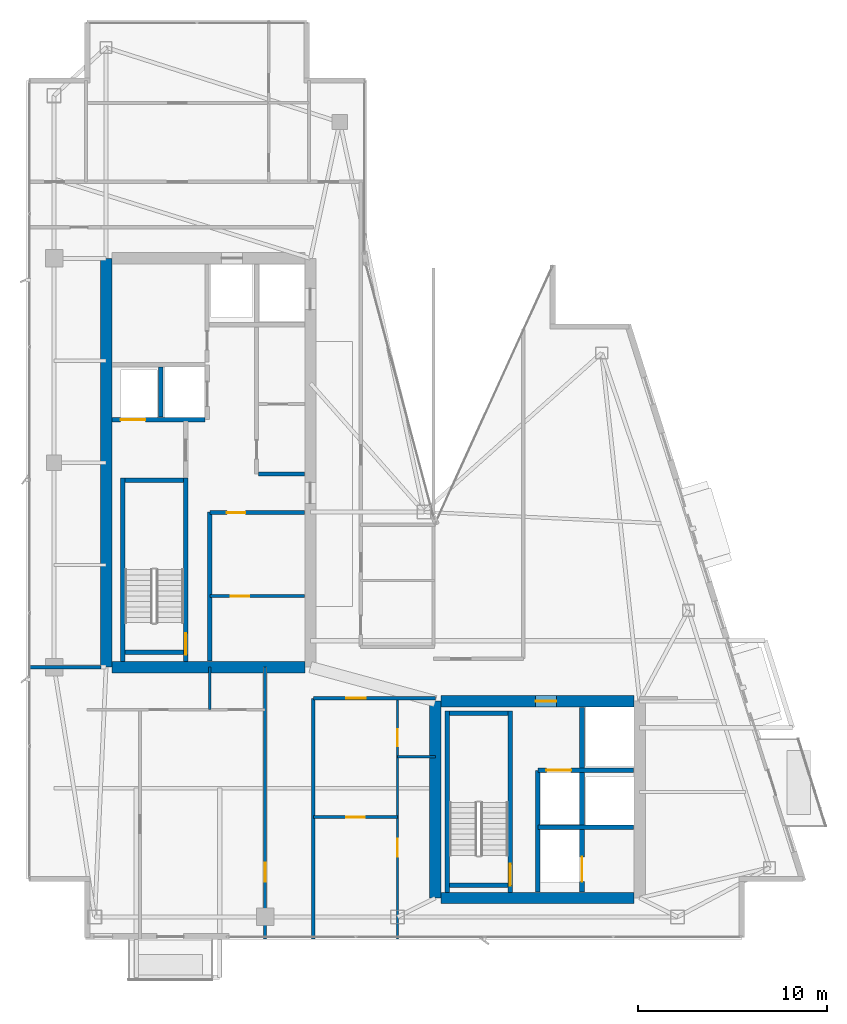
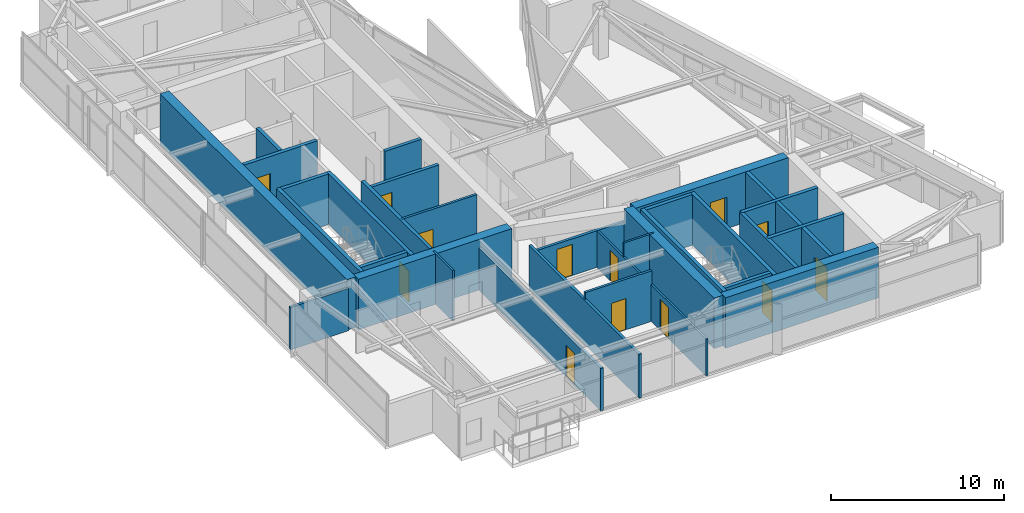
# One storey, part 22 of 27: 31 walls, 13 doors, 13 openings.
"""IFC4 building model written with IfcOpenShell, lengths in metres."""

from ifc_helpers import new_model, si_unit, direction, frame, frame_2d, origin, place, context, subcontext, project, spatial, rectangle, extrude, material, layer, layer_set, type_object, element, fill, save


model = new_model("IFC4")

# Units and contexts
model_context = context("Model", 3, precision=1e-05, world=origin(), true_north=direction((0.0, 1.0)))
body_context = subcontext(model_context, "Body", "Model", "MODEL_VIEW")
ifc_project = project(units=[si_unit("LENGTHUNIT", "METRE"), si_unit("AREAUNIT", "SQUARE_METRE"), si_unit("VOLUMEUNIT", "CUBIC_METRE"), si_unit("PLANEANGLEUNIT", "RADIAN"), si_unit("MASSUNIT", "GRAM", prefix="KILO")], contexts=[model_context])

# Site, building, storey
site_placement = place(None, origin())
site = spatial("IfcSite", under=ifc_project, at=site_placement, CompositionType="ELEMENT")
building_placement = place(site_placement, origin())
building = spatial("IfcBuilding", under=site, at=building_placement, Name="Calvorn Quay Hotel", CompositionType="ELEMENT")
storey_placement = place(building_placement, frame((0.0, 0.0, 291.10009765625)))
storey = spatial("IfcBuildingStorey", under=building, at=storey_placement, Name="L72", CompositionType="ELEMENT", Elevation=291.10009765625)

# Walls
ifc_material_1 = material(Name="Concrete C45", Category="concrete")
ifc_layer_1 = layer(ifc_material_1, 0.60009765625)
ifc_layer_set_1 = layer_set([ifc_layer_1], Name="WL-CORE-600")
wall_type_1 = type_object("IfcWallType", Name="WL-CORE-600", PredefinedType="SHEAR", material=ifc_layer_set_1)
wall_1_placement = place(storey_placement, frame((4.199951171875, 16.800048828125, 0.0), z_axis=(0.0, 0.0, 1.0), x_axis=(0.0, 1.0, 0.0)))
element("IfcWall", 1, at=wall_1_placement, inside=storey, type_object=wall_type_1, Name="West Core Shear Wall W (L72)", PredefinedType="SHEAR", context=body_context, shape_type="SweptSolid", body=[
    extrude(rectangle(XDim=21.599853515625, YDim=0.60009765625, at=frame_2d((10.7998046875, 0.0))), origin(), (0.0, 0.0, 1.0), 3.559814453125),
])
wall_2_placement = place(storey_placement, frame((4.5, 16.800048828125, 0.0), z_axis=(0.0, 0.0, 1.0), x_axis=(1.0, 0.0, 0.0)))
element("IfcWall", 2, at=wall_2_placement, inside=storey, type_object=wall_type_1, Name="West Core Shear Wall S (L72)", PredefinedType="SHEAR", context=body_context, shape_type="SweptSolid", body=[
    extrude(rectangle(XDim=10.199951171875, YDim=0.60009765625, at=frame_2d((5.10009765625, 0.0))), origin(), (0.0, 0.0, 1.0), 3.559814453125),
])
wall_3_placement = place(storey_placement, frame((21.60009765625, 4.60009765625, 0.0), z_axis=(0.0, 0.0, 1.0), x_axis=(0.0, 1.0, 0.0)))
element("IfcWall", 3, at=wall_3_placement, inside=storey, type_object=wall_type_1, Name="East Core Shear Wall W (L72)", PredefinedType="SHEAR", context=body_context, shape_type="SweptSolid", body=[
    extrude(rectangle(XDim=10.39990234375, YDim=0.60009765625, at=frame_2d((5.199951171875, 0.0))), origin(), (0.0, 0.0, 1.0), 3.559814453125),
])

# Wall, opening, door
wall_4_placement = place(storey_placement, frame((21.89990234375, 15.0, 0.0), z_axis=(0.0, 0.0, 1.0), x_axis=(1.0, 0.0, 0.0)))
wall_4 = element("IfcWall", 4, at=wall_4_placement, inside=storey, type_object=wall_type_1, Name="East Core Shear Wall N (L72)", PredefinedType="SHEAR", context=body_context, shape_type="SweptSolid", body=[
    extrude(rectangle(XDim=10.2001953125, YDim=0.60009765625, at=frame_2d((5.10009765625, 0.0))), origin(), (0.0, 0.0, 1.0), 3.559814453125),
])
opening_1_placement = place(wall_4_placement, frame((5.0, 0.0, 0.0)))
opening_1 = element("IfcOpeningElement", 5, at=opening_1_placement, cuts=wall_4, Name="Opening D-L72-FLE", PredefinedType="OPENING", context=body_context, shape_type="SweptSolid", body=[
    extrude(rectangle(XDim=1.10009765625, YDim=2.199951171875, at=frame_2d((0.550048828125, 1.10009765625))), frame((0.0, 0.31005859375, 0.0), z_axis=(0.0, -1.0, 0.0), x_axis=(1.0, 0.0, 0.0)), (0.0, 0.0, 1.0), 0.6201171875),
])
ifc_material_2 = material(Name="Smoke-Sealed Steel Class A Fire Door", Category="steel")
door_type_1 = type_object("IfcDoorType", Name="DR-FFLOBBY-1100", OperationType="NOTDEFINED", PredefinedType="DOOR", material=ifc_material_2)
door_1_placement = place(opening_1_placement, origin())
door_1 = element("IfcDoor", 6, at=door_1_placement, inside=storey, type_object=door_type_1, Name="East Firefighting Lobby Fire Door (L72)", OperationType="SINGLE_SWING_RIGHT", OverallHeight=2.199951171875, OverallWidth=1.10009765625, PredefinedType="DOOR", context=body_context, shape_type="SweptSolid", body=[
    extrude(rectangle(XDim=1.10009765625, YDim=2.199951171875, at=frame_2d((0.550048828125, 1.10009765625))), frame((0.0, 0.02490234375, 0.0), z_axis=(0.0, -1.0, 0.0), x_axis=(1.0, 0.0, 0.0)), (0.0, 0.0, 1.0), 0.050048828125),
])
fill(opening_1, door_1)

# Walls
wall_5_placement = place(storey_placement, frame((21.89990234375, 4.60009765625, 0.0), z_axis=(0.0, 0.0, 1.0), x_axis=(1.0, 0.0, 0.0)))
element("IfcWall", 7, at=wall_5_placement, inside=storey, type_object=wall_type_1, Name="East Core Shear Wall S (L72)", PredefinedType="SHEAR", context=body_context, shape_type="SweptSolid", body=[
    extrude(rectangle(XDim=10.2001953125, YDim=0.60009765625, at=frame_2d((5.10009765625, 0.0))), origin(), (0.0, 0.0, 1.0), 3.559814453125),
])
ifc_material_3 = material(Name="Acoustic Fireboard Steel-Stud Partition", Category="steel")
ifc_layer_2 = layer(ifc_material_3, 0.179931640625)
ifc_layer_set_2 = layer_set([ifc_layer_2], Name="WL-CORR-FIRE-180")
wall_type_2 = type_object("IfcWallType", Name="WL-CORR-FIRE-180", PredefinedType="PARTITIONING", material=ifc_layer_set_2)
wall_6_placement = place(storey_placement, frame((0.080078125, 16.800048828125, 0.0), z_axis=(0.0, 0.0, 1.0), x_axis=(1.0, 0.0, 0.0)))
element("IfcWall", 8, at=wall_6_placement, inside=storey, type_object=wall_type_2, Name="Partition Wall L72-WL-WBAY-S-WALL", PredefinedType="PARTITIONING", context=body_context, shape_type="SweptSolid", body=[
    extrude(rectangle(XDim=3.849853515625, YDim=0.179931640625, at=frame_2d((1.9248046875, 0.0))), origin(), (0.0, 0.0, 1.0), 2.989990234375),
])

# Wall, opening, door
wall_7_placement = place(storey_placement, frame((12.60009765625, 2.43994140625, 0.0), z_axis=(0.0, 0.0, 1.0), x_axis=(0.0, 1.0, 0.0)))
wall_7 = element("IfcWall", 9, at=wall_7_placement, inside=storey, type_object=wall_type_2, Name="Partition Wall L72-WL-CORR-SW-LEG-W", PredefinedType="PARTITIONING", context=body_context, shape_type="SweptSolid", body=[
    extrude(rectangle(XDim=14.360107421875, YDim=0.179931640625, at=frame_2d((7.18017578125, 0.0))), origin(), (0.0, 0.0, 1.0), 2.989990234375),
])
opening_2_placement = place(wall_7_placement, frame((3.010009765625, 0.0, 0.0)))
opening_2 = element("IfcOpeningElement", 10, at=opening_2_placement, cuts=wall_7, Name="Opening D-L72-U01", PredefinedType="OPENING", context=body_context, shape_type="SweptSolid", body=[
    extrude(rectangle(XDim=1.02001953125, YDim=2.199951171875, at=frame_2d((0.510009765625, 1.10009765625))), frame((0.0, 0.099853515625, 0.0), z_axis=(0.0, -1.0, 0.0), x_axis=(1.0, 0.0, 0.0)), (0.0, 0.0, 1.0), 0.199951171875),
])
ifc_material_4 = material(Name="Solid-Core Walnut Veneer Hotel Fire Door")
door_type_2 = type_object("IfcDoorType", Name="DR-GUEST-ENTRY-1020", OperationType="NOTDEFINED", PredefinedType="DOOR", material=ifc_material_4)
door_2_placement = place(opening_2_placement, origin())
door_2 = element("IfcDoor", 11, at=door_2_placement, inside=storey, type_object=door_type_2, Name="South-West Unit Door U01 (L72)", OperationType="SINGLE_SWING_LEFT", OverallHeight=2.199951171875, OverallWidth=1.02001953125, PredefinedType="DOOR", context=body_context, shape_type="SweptSolid", body=[
    extrude(rectangle(XDim=1.02001953125, YDim=2.199951171875, at=frame_2d((0.510009765625, 1.10009765625))), frame((0.0, 0.02490234375, 0.0), z_axis=(0.0, -1.0, 0.0), x_axis=(1.0, 0.0, 0.0)), (0.0, 0.0, 1.0), 0.050048828125),
])
fill(opening_2, door_2)

# Wall
wall_8_placement = place(storey_placement, frame((15.14990234375, 2.43994140625, 0.0), z_axis=(0.0, 0.0, 1.0), x_axis=(0.0, 1.0, 0.0)))
element("IfcWall", 12, at=wall_8_placement, inside=storey, type_object=wall_type_2, Name="Partition Wall L72-WL-CORR-SW-W", PredefinedType="PARTITIONING", context=body_context, shape_type="SweptSolid", body=[
    extrude(rectangle(XDim=12.7099609375, YDim=0.179931640625, at=frame_2d((6.35498046875, 0.0))), origin(), (0.0, 0.0, 1.0), 3.08984375),
])

# Wall, opening, door
wall_9_placement = place(storey_placement, frame((15.14990234375, 15.14990234375, 0.0), z_axis=(0.0, 0.0, 1.0), x_axis=(1.0, 0.0, 0.0)))
wall_9 = element("IfcWall", 13, at=wall_9_placement, inside=storey, type_object=wall_type_2, Name="Partition Wall L72-WL-SC-CORR-S", PredefinedType="PARTITIONING", context=body_context, shape_type="SweptSolid", body=[
    extrude(rectangle(XDim=6.4501953125, YDim=0.179931640625, at=frame_2d((3.22509765625, 0.0))), origin(), (0.0, 0.0, 1.0), 2.58984375),
])
opening_3_placement = place(wall_9_placement, frame((1.739990234375, 0.0, 0.0)))
opening_3 = element("IfcOpeningElement", 14, at=opening_3_placement, cuts=wall_9, Name="Opening D-L72-U02", PredefinedType="OPENING", context=body_context, shape_type="SweptSolid", body=[
    extrude(rectangle(XDim=1.02001953125, YDim=2.199951171875, at=frame_2d((0.510009765625, 1.10009765625))), frame((0.0, 0.099853515625, 0.0), z_axis=(0.0, -1.0, 0.0), x_axis=(1.0, 0.0, 0.0)), (0.0, 0.0, 1.0), 0.199951171875),
])
door_3_placement = place(opening_3_placement, origin())
door_3 = element("IfcDoor", 15, at=door_3_placement, inside=storey, type_object=door_type_2, Name="Harbour Central Unit Door (L72)", OperationType="SINGLE_SWING_LEFT", OverallHeight=2.199951171875, OverallWidth=1.02001953125, PredefinedType="DOOR", context=body_context, shape_type="SweptSolid", body=[
    extrude(rectangle(XDim=1.02001953125, YDim=2.199951171875, at=frame_2d((0.510009765625, 1.10009765625))), frame((0.0, 0.02490234375, 0.0), z_axis=(0.0, -1.0, 0.0), x_axis=(1.0, 0.0, 0.0)), (0.0, 0.0, 1.0), 0.050048828125),
])
fill(opening_3, door_3)

# Walls
ifc_material_5 = material(Name="Moisture-Resistant Tile-Backed Partition")
ifc_layer_3 = layer(ifc_material_5, 0.125)
ifc_layer_set_3 = layer_set([ifc_layer_3], Name="WL-ENSUITE-125")
wall_type_3 = type_object("IfcWallType", Name="WL-ENSUITE-125", PredefinedType="PARTITIONING", material=ifc_layer_set_3)
wall_10_placement = place(storey_placement, frame((9.679931640625, 14.550048828125, 0.0), z_axis=(0.0, 0.0, 1.0), x_axis=(0.0, 1.0, 0.0)))
element("IfcWall", 16, at=wall_10_placement, inside=storey, type_object=wall_type_3, Name="Partition Wall L72-WL-U01-BDV", PredefinedType="PARTITIONING", context=body_context, shape_type="SweptSolid", body=[
    extrude(rectangle(XDim=2.25, YDim=0.125, at=frame_2d((1.125, 0.0))), origin(), (0.0, 0.0, 1.0), 3.559814453125),
])
wall_11_placement = place(storey_placement, frame((19.60009765625, 12.070068359375, 0.0), z_axis=(0.0, 0.0, 1.0), x_axis=(1.0, 0.0, 0.0)))
element("IfcWall", 17, at=wall_11_placement, inside=storey, type_object=wall_type_3, Name="Partition Wall L72-WL-U02-BDV", PredefinedType="PARTITIONING", context=body_context, shape_type="SweptSolid", body=[
    extrude(rectangle(XDim=2.0, YDim=0.125, at=frame_2d((1.0, 0.0))), origin(), (0.0, 0.0, 1.0), 3.559814453125),
])

# Wall, openings, doors
wall_12_placement = place(storey_placement, frame((19.60009765625, 2.43994140625, 0.0), z_axis=(0.0, 0.0, 1.0), x_axis=(0.0, 1.0, 0.0)))
wall_12 = element("IfcWall", 18, at=wall_12_placement, inside=storey, type_object=wall_type_3, Name="Partition Wall L72-WL-U02-BV", PredefinedType="PARTITIONING", context=body_context, shape_type="SweptSolid", body=[
    extrude(rectangle(XDim=12.7099609375, YDim=0.125, at=frame_2d((6.35498046875, 0.0))), origin(), (0.0, 0.0, 1.0), 2.58984375),
])
opening_4_placement = place(wall_12_placement, frame((4.340087890625, 0.0, 0.0)))
opening_4 = element("IfcOpeningElement", 19, at=opening_4_placement, cuts=wall_12, Name="Opening D-L72-S02", PredefinedType="OPENING", context=body_context, shape_type="SweptSolid", body=[
    extrude(rectangle(XDim=0.9599609375, YDim=2.199951171875, at=frame_2d((0.47998046875, 1.10009765625))), frame((0.0, 0.072509765625, 0.0), z_axis=(0.0, -1.0, 0.0), x_axis=(1.0, 0.0, 0.0)), (0.0, 0.0, 1.0), 0.14501953125),
])
opening_5_placement = place(wall_12_placement, frame((10.179931640625, 0.0, 0.0)))
opening_5 = element("IfcOpeningElement", 20, at=opening_5_placement, cuts=wall_12, Name="Opening D-L72-E02", PredefinedType="OPENING", context=body_context, shape_type="SweptSolid", body=[
    extrude(rectangle(XDim=0.89990234375, YDim=2.14990234375, at=frame_2d((0.449951171875, 1.074951171875))), frame((0.0, 0.072509765625, 0.0), z_axis=(0.0, -1.0, 0.0), x_axis=(1.0, 0.0, 0.0)), (0.0, 0.0, 1.0), 0.14501953125),
])
ifc_material_6 = material(Name="Moisture-Sealed Timber En-Suite Door", Category="wood")
door_type_3 = type_object("IfcDoorType", Name="DR-ENSUITE-900", OperationType="NOTDEFINED", PredefinedType="DOOR", material=ifc_material_6)
door_4_placement = place(opening_5_placement, origin())
door_4 = element("IfcDoor", 21, at=door_4_placement, inside=storey, type_object=door_type_3, Name="En-Suite Door 02", OperationType="SINGLE_SWING_RIGHT", OverallHeight=2.14990234375, OverallWidth=0.89990234375, PredefinedType="DOOR", context=body_context, shape_type="SweptSolid", body=[
    extrude(rectangle(XDim=0.89990234375, YDim=2.14990234375, at=frame_2d((0.449951171875, 1.074951171875))), frame((0.0, 0.02490234375, 0.0), z_axis=(0.0, -1.0, 0.0), x_axis=(1.0, 0.0, 0.0)), (0.0, 0.0, 1.0), 0.050048828125),
])
fill(opening_5, door_4)
ifc_material_7 = material(Name="Solid Timber Internal Suite Door", Category="wood")
door_type_4 = type_object("IfcDoorType", Name="DR-SUITE-INT-960", OperationType="NOTDEFINED", PredefinedType="DOOR", material=ifc_material_7)
door_5_placement = place(opening_4_placement, origin())
door_5 = element("IfcDoor", 22, at=door_5_placement, inside=storey, type_object=door_type_4, Name="Walk-In Wardrobe Door 02", OperationType="SINGLE_SWING_LEFT", OverallHeight=2.199951171875, OverallWidth=0.9599609375, PredefinedType="DOOR", context=body_context, shape_type="SweptSolid", body=[
    extrude(rectangle(XDim=0.9599609375, YDim=2.199951171875, at=frame_2d((0.47998046875, 1.10009765625))), frame((0.0, 0.02490234375, 0.0), z_axis=(0.0, -1.0, 0.0), x_axis=(1.0, 0.0, 0.0)), (0.0, 0.0, 1.0), 0.050048828125),
])
fill(opening_4, door_5)

# Wall, opening, door
ifc_material_8 = material(Name="Double-Stud Acoustic Gypsum Partition")
ifc_layer_4 = layer(ifc_material_8, 0.159912109375)
ifc_layer_set_4 = layer_set([ifc_layer_4], Name="WL-INTERSUITE-160")
wall_type_4 = type_object("IfcWallType", Name="WL-INTERSUITE-160", PredefinedType="PARTITIONING", material=ifc_layer_set_4)
wall_13_placement = place(storey_placement, frame((9.679931640625, 20.550048828125, 0.0), z_axis=(0.0, 0.0, 1.0), x_axis=(1.0, 0.0, 0.0)))
wall_13 = element("IfcWall", 23, at=wall_13_placement, inside=storey, type_object=wall_type_4, Name="Partition Wall L72-WL-CWW-FR-SPLIT", PredefinedType="PARTITIONING", context=body_context, shape_type="SweptSolid", body=[
    extrude(rectangle(XDim=5.0, YDim=0.159912109375, at=frame_2d((2.5, 0.0))), origin(), (0.0, 0.0, 1.0), 3.559814453125),
])
opening_6_placement = place(wall_13_placement, frame((1.10009765625, 0.0, 0.0)))
opening_6 = element("IfcOpeningElement", 24, at=opening_6_placement, cuts=wall_13, Name="Opening D-L72-FRL1", PredefinedType="OPENING", context=body_context, shape_type="SweptSolid", body=[
    extrude(rectangle(XDim=0.97998046875, YDim=2.14990234375, at=frame_2d((0.489990234375, 1.074951171875))), frame((0.0, 0.08984375, 0.0), z_axis=(0.0, -1.0, 0.0), x_axis=(1.0, 0.0, 0.0)), (0.0, 0.0, 1.0), 0.179931640625),
])
ifc_material_9 = material(Name="Painted Steel Housekeeping/Riser Fire Door", Category="steel")
door_type_5 = type_object("IfcDoorType", Name="DR-SERVICE-980", OperationType="NOTDEFINED", PredefinedType="DOOR", material=ifc_material_9)
door_6_placement = place(opening_6_placement, origin())
door_6 = element("IfcDoor", 25, at=door_6_placement, inside=storey, type_object=door_type_5, Name="Linen Store Room Door (L72)", OperationType="SINGLE_SWING_LEFT", OverallHeight=2.14990234375, OverallWidth=0.97998046875, PredefinedType="DOOR", context=body_context, shape_type="SweptSolid", body=[
    extrude(rectangle(XDim=0.97998046875, YDim=2.14990234375, at=frame_2d((0.489990234375, 1.074951171875))), frame((0.0, 0.02490234375, 0.0), z_axis=(0.0, -1.0, 0.0), x_axis=(1.0, 0.0, 0.0)), (0.0, 0.0, 1.0), 0.050048828125),
])
fill(opening_6, door_6)

wall_14_placement = place(storey_placement, frame((15.14990234375, 8.8701171875, 0.0), z_axis=(0.0, 0.0, 1.0), x_axis=(1.0, 0.0, 0.0)))
wall_14 = element("IfcWall", 26, at=wall_14_placement, inside=storey, type_object=wall_type_4, Name="Partition Wall L72-WL-U02-MSP", PredefinedType="PARTITIONING", context=body_context, shape_type="SweptSolid", body=[
    extrude(rectangle(XDim=4.4501953125, YDim=0.159912109375, at=frame_2d((2.22509765625, 0.0))), origin(), (0.0, 0.0, 1.0), 3.559814453125),
])
opening_7_placement = place(wall_14_placement, frame((1.75, 0.0, 0.0)))
opening_7 = element("IfcOpeningElement", 27, at=opening_7_placement, cuts=wall_14, Name="Opening D-L72-M02", PredefinedType="OPENING", context=body_context, shape_type="SweptSolid", body=[
    extrude(rectangle(XDim=0.9599609375, YDim=2.199951171875, at=frame_2d((0.47998046875, 1.10009765625))), frame((0.0, 0.08984375, 0.0), z_axis=(0.0, -1.0, 0.0), x_axis=(1.0, 0.0, 0.0)), (0.0, 0.0, 1.0), 0.179931640625),
])
door_7_placement = place(opening_7_placement, origin())
door_7 = element("IfcDoor", 28, at=door_7_placement, inside=storey, type_object=door_type_4, Name="Suite Bedroom Door 02", OperationType="SINGLE_SWING_LEFT", OverallHeight=2.199951171875, OverallWidth=0.9599609375, PredefinedType="DOOR", context=body_context, shape_type="SweptSolid", body=[
    extrude(rectangle(XDim=0.9599609375, YDim=2.199951171875, at=frame_2d((0.47998046875, 1.10009765625))), frame((0.0, 0.02490234375, 0.0), z_axis=(0.0, -1.0, 0.0), x_axis=(1.0, 0.0, 0.0)), (0.0, 0.0, 1.0), 0.050048828125),
])
fill(opening_7, door_7)

# Wall
ifc_material_10 = material(Name="Autoclaved Aerated Masonry Block", Category="masonry")
ifc_layer_5 = layer(ifc_material_10, 0.219970703125)
ifc_layer_set_5 = layer_set([ifc_layer_5], Name="WL-LOBBY-FIRE-220")
wall_type_5 = type_object("IfcWallType", Name="WL-LOBBY-FIRE-220", PredefinedType="SOLIDWALL", material=ifc_layer_set_5)
wall_15_placement = place(storey_placement, frame((9.679931640625, 17.1201171875, 0.0), z_axis=(0.0, 0.0, 1.0), x_axis=(0.0, 1.0, 0.0)))
element("IfcWall", 29, at=wall_15_placement, inside=storey, type_object=wall_type_5, Name="Partition Wall L72-WL-CWW-STW-HALL-E", PredefinedType="SOLIDWALL", context=body_context, shape_type="SweptSolid", body=[
    extrude(rectangle(XDim=7.8798828125, YDim=0.219970703125, at=frame_2d((3.93994140625, 0.0))), origin(), (0.0, 0.0, 1.0), 3.559814453125),
])

# Wall, opening, door
wall_16_placement = place(storey_placement, frame((9.679931640625, 24.969970703125, 0.0), z_axis=(0.0, 0.0, 1.0), x_axis=(1.0, 0.0, 0.0)))
wall_16 = element("IfcWall", 30, at=wall_16_placement, inside=storey, type_object=wall_type_5, Name="Partition Wall L72-WL-CWW-FR-N", PredefinedType="SOLIDWALL", context=body_context, shape_type="SweptSolid", body=[
    extrude(rectangle(XDim=5.0, YDim=0.219970703125, at=frame_2d((2.5, 0.0))), origin(), (0.0, 0.0, 1.0), 2.989990234375),
])
opening_8_placement = place(wall_16_placement, frame((0.89990234375, 0.0, 0.0)))
opening_8 = element("IfcOpeningElement", 31, at=opening_8_placement, cuts=wall_16, Name="Opening D-L72-FRL2", PredefinedType="OPENING", context=body_context, shape_type="SweptSolid", body=[
    extrude(rectangle(XDim=0.97998046875, YDim=2.14990234375, at=frame_2d((0.489990234375, 1.074951171875))), frame((0.0, 0.119873046875, 0.0), z_axis=(0.0, -1.0, 0.0), x_axis=(1.0, 0.0, 0.0)), (0.0, 0.0, 1.0), 0.239990234375),
])
door_8_placement = place(opening_8_placement, origin())
door_8 = element("IfcDoor", 32, at=door_8_placement, inside=storey, type_object=door_type_5, Name="Beverage Pantry Door (L72)", OperationType="SINGLE_SWING_RIGHT", OverallHeight=2.14990234375, OverallWidth=0.97998046875, PredefinedType="DOOR", context=body_context, shape_type="SweptSolid", body=[
    extrude(rectangle(XDim=0.97998046875, YDim=2.14990234375, at=frame_2d((0.489990234375, 1.074951171875))), frame((0.0, 0.02490234375, 0.0), z_axis=(0.0, -1.0, 0.0), x_axis=(1.0, 0.0, 0.0)), (0.0, 0.0, 1.0), 0.050048828125),
])
fill(opening_8, door_8)

# Walls
wall_17_placement = place(storey_placement, frame((12.25, 27.0, 0.0), z_axis=(0.0, 0.0, 1.0), x_axis=(1.0, 0.0, 0.0)))
element("IfcWall", 33, at=wall_17_placement, inside=storey, type_object=wall_type_5, Name="Partition Wall L72-WL-CWW-FM-S", PredefinedType="SOLIDWALL", context=body_context, shape_type="SweptSolid", body=[
    extrude(rectangle(XDim=2.429931640625, YDim=0.219970703125, at=frame_2d((1.21484375, 0.0))), origin(), (0.0, 0.0, 1.0), 3.559814453125),
])
ifc_material_11 = material(Name="Concrete C40", Category="concrete")
ifc_layer_6 = layer(ifc_material_11, 0.239990234375)
ifc_layer_set_6 = layer_set([ifc_layer_6], Name="WL-SHAFT-240")
wall_type_6 = type_object("IfcWallType", Name="WL-SHAFT-240", PredefinedType="SOLIDWALL", material=ifc_layer_set_6)
wall_18_placement = place(storey_placement, frame((5.080078125, 17.10009765625, 0.0), z_axis=(0.0, 0.0, 1.0), x_axis=(0.0, 1.0, 0.0)))
element("IfcWall", 34, at=wall_18_placement, inside=storey, type_object=wall_type_6, Name="Stair STW Shaft Wall W (L72)", PredefinedType="SOLIDWALL", context=body_context, shape_type="SweptSolid", body=[
    extrude(rectangle(XDim=9.68994140625, YDim=0.239990234375, at=frame_2d((4.844970703125, 0.0))), origin(), (0.0, 0.0, 1.0), 3.559814453125),
])

# Wall, opening, door
wall_19_placement = place(storey_placement, frame((8.419921875, 17.10009765625, 0.0), z_axis=(0.0, 0.0, 1.0), x_axis=(0.0, 1.0, 0.0)))
wall_19 = element("IfcWall", 35, at=wall_19_placement, inside=storey, type_object=wall_type_6, Name="Stair STW Shaft Wall E (L72)", PredefinedType="SOLIDWALL", context=body_context, shape_type="SweptSolid", body=[
    extrude(rectangle(XDim=9.68994140625, YDim=0.239990234375, at=frame_2d((4.844970703125, 0.0))), origin(), (0.0, 0.0, 1.0), 3.559814453125),
])
opening_9_placement = place(wall_19_placement, frame((0.35009765625, 0.0, 0.0)))
opening_9 = element("IfcOpeningElement", 36, at=opening_9_placement, cuts=wall_19, Name="Opening D-L72-STW", PredefinedType="OPENING", context=body_context, shape_type="SweptSolid", body=[
    extrude(rectangle(XDim=1.14990234375, YDim=2.199951171875, at=frame_2d((0.574951171875, 1.10009765625))), frame((0.0, 0.1298828125, 0.0), z_axis=(0.0, -1.0, 0.0), x_axis=(1.0, 0.0, 0.0)), (0.0, 0.0, 1.0), 0.260009765625),
])
ifc_material_12 = material(Name="Galvanised Steel Class A Fire Door", Category="steel")
door_type_6 = type_object("IfcDoorType", Name="DR-STAIR-SMOKE-1150", OperationType="NOTDEFINED", PredefinedType="DOOR", material=ifc_material_12)
door_9_placement = place(opening_9_placement, origin())
door_9 = element("IfcDoor", 37, at=door_9_placement, inside=storey, type_object=door_type_6, Name="Stair ST-W Fire Door (L72)", OperationType="SINGLE_SWING_LEFT", OverallHeight=2.199951171875, OverallWidth=1.14990234375, PredefinedType="DOOR", context=body_context, shape_type="SweptSolid", body=[
    extrude(rectangle(XDim=1.14990234375, YDim=2.199951171875, at=frame_2d((0.574951171875, 1.10009765625))), frame((0.0, 0.02490234375, 0.0), z_axis=(0.0, -1.0, 0.0), x_axis=(1.0, 0.0, 0.0)), (0.0, 0.0, 1.0), 0.050048828125),
])
fill(opening_9, door_9)

# Walls
for number, where, z_axis, x_axis, name in (
    (38, (5.199951171875, 17.580078125, 0.0), (0.0, 0.0, 1.0), (1.0, 0.0, 0.0), "Stair STW Shaft Wall S (L72)"),
    (39, (5.199951171875, 26.669921875, 0.0), (0.0, 0.0, 1.0), (1.0, 0.0, 0.0), "Stair STW Shaft Wall N (L72)"),
):
    element("IfcWall", number, at=place(storey_placement, frame(where, z_axis=z_axis, x_axis=x_axis)), inside=storey, type_object=wall_type_6, Name=name, PredefinedType="SOLIDWALL", context=body_context, shape_type="SweptSolid", body=[
        extrude(rectangle(XDim=3.10009765625, YDim=0.239990234375, at=frame_2d((1.550048828125, 0.0))), origin(), (0.0, 0.0, 1.0), 3.559814453125),
    ])
wall_20_placement = place(storey_placement, frame((22.22998046875, 4.89990234375, 0.0), z_axis=(0.0, 0.0, 1.0), x_axis=(0.0, 1.0, 0.0)))
element("IfcWall", 40, at=wall_20_placement, inside=storey, type_object=wall_type_6, Name="Stair STE Shaft Wall W (L72)", PredefinedType="SOLIDWALL", context=body_context, shape_type="SweptSolid", body=[
    extrude(rectangle(XDim=9.590087890625, YDim=0.239990234375, at=frame_2d((4.794921875, 0.0))), origin(), (0.0, 0.0, 1.0), 3.559814453125),
])

# Wall, opening, door
wall_21_placement = place(storey_placement, frame((25.570068359375, 4.89990234375, 0.0), z_axis=(0.0, 0.0, 1.0), x_axis=(0.0, 1.0, 0.0)))
wall_21 = element("IfcWall", 41, at=wall_21_placement, inside=storey, type_object=wall_type_6, Name="Stair STE Shaft Wall E (L72)", PredefinedType="SOLIDWALL", context=body_context, shape_type="SweptSolid", body=[
    extrude(rectangle(XDim=9.590087890625, YDim=0.239990234375, at=frame_2d((4.794921875, 0.0))), origin(), (0.0, 0.0, 1.0), 3.559814453125),
])
opening_10_placement = place(wall_21_placement, frame((0.35009765625, 0.0, 0.0)))
opening_10 = element("IfcOpeningElement", 42, at=opening_10_placement, cuts=wall_21, Name="Opening D-L72-STE", PredefinedType="OPENING", context=body_context, shape_type="SweptSolid", body=[
    extrude(rectangle(XDim=1.14990234375, YDim=2.199951171875, at=frame_2d((0.574951171875, 1.10009765625))), frame((0.0, 0.1298828125, 0.0), z_axis=(0.0, -1.0, 0.0), x_axis=(1.0, 0.0, 0.0)), (0.0, 0.0, 1.0), 0.260009765625),
])
door_10_placement = place(opening_10_placement, origin())
door_10 = element("IfcDoor", 43, at=door_10_placement, inside=storey, type_object=door_type_6, Name="Stair ST-E Fire Door (L72)", OperationType="SINGLE_SWING_RIGHT", OverallHeight=2.199951171875, OverallWidth=1.14990234375, PredefinedType="DOOR", context=body_context, shape_type="SweptSolid", body=[
    extrude(rectangle(XDim=1.14990234375, YDim=2.199951171875, at=frame_2d((0.574951171875, 1.10009765625))), frame((0.0, 0.02490234375, 0.0), z_axis=(0.0, -1.0, 0.0), x_axis=(1.0, 0.0, 0.0)), (0.0, 0.0, 1.0), 0.050048828125),
])
fill(opening_10, door_10)

# Walls
for number, where, z_axis, x_axis, name in (
    (44, (22.35009765625, 5.280029296875, 0.0), (0.0, 0.0, 1.0), (1.0, 0.0, 0.0), "Stair STE Shaft Wall S (L72)"),
    (45, (22.35009765625, 14.3701171875, 0.0), (0.0, 0.0, 1.0), (1.0, 0.0, 0.0), "Stair STE Shaft Wall N (L72)"),
):
    element("IfcWall", number, at=place(storey_placement, frame(where, z_axis=z_axis, x_axis=x_axis)), inside=storey, type_object=wall_type_6, Name=name, PredefinedType="SOLIDWALL", context=body_context, shape_type="SweptSolid", body=[
        extrude(rectangle(XDim=3.099853515625, YDim=0.239990234375, at=frame_2d((1.5498046875, 0.0))), origin(), (0.0, 0.0, 1.0), 3.559814453125),
    ])

# Wall, opening, door
wall_22_placement = place(storey_placement, frame((4.52001953125, 29.8798828125, 0.0), z_axis=(0.0, 0.0, 1.0), x_axis=(1.0, 0.0, 0.0)))
wall_22 = element("IfcWall", 46, at=wall_22_placement, inside=storey, type_object=wall_type_6, Name="Partition Wall L72-WL-CWW-FLW-S", PredefinedType="SOLIDWALL", context=body_context, shape_type="SweptSolid", body=[
    extrude(rectangle(XDim=4.89990234375, YDim=0.239990234375, at=frame_2d((2.449951171875, 0.0))), origin(), (0.0, 0.0, 1.0), 3.559814453125),
])
opening_11_placement = place(wall_22_placement, frame((0.449951171875, 0.0, 0.0)))
opening_11 = element("IfcOpeningElement", 47, at=opening_11_placement, cuts=wall_22, Name="Opening LD-L72-FLW1", PredefinedType="OPENING", context=body_context, shape_type="SweptSolid", body=[
    extrude(rectangle(XDim=1.300048828125, YDim=2.35009765625, at=frame_2d((0.64990234375, 1.175048828125))), frame((0.0, 0.1298828125, 0.0), z_axis=(0.0, -1.0, 0.0), x_axis=(1.0, 0.0, 0.0)), (0.0, 0.0, 1.0), 0.260009765625),
])
ifc_material_13 = material(Name="Champagne-Bronze Sliding Express Lift Landing Door")
door_type_7 = type_object("IfcDoorType", Name="DR-LIFT-SHUTTLE-1300", OperationType="NOTDEFINED", PredefinedType="DOOR", material=ifc_material_13)
door_11_placement = place(opening_11_placement, origin())
door_11 = element("IfcDoor", 48, at=door_11_placement, inside=storey, type_object=door_type_7, Name="Firefighting Lift FL-W1 Landing Door (L72)", OperationType="DOUBLE_DOOR_SLIDING", OverallHeight=2.35009765625, OverallWidth=1.300048828125, PredefinedType="DOOR", context=body_context, shape_type="SweptSolid", body=[
    extrude(rectangle(XDim=1.300048828125, YDim=2.35009765625, at=frame_2d((0.64990234375, 1.175048828125))), frame((0.0, 0.02490234375, 0.0), z_axis=(0.0, -1.0, 0.0), x_axis=(1.0, 0.0, 0.0)), (0.0, 0.0, 1.0), 0.050048828125),
])
fill(opening_11, door_11)

# Walls
wall_23_placement = place(storey_placement, frame((7.10009765625, 30.02001953125, 0.0), z_axis=(0.0, 0.0, 1.0), x_axis=(0.0, 1.0, 0.0)))
element("IfcWall", 49, at=wall_23_placement, inside=storey, type_object=wall_type_6, Name="Partition Wall L72-WL-CWW-FLW-DIV", PredefinedType="SOLIDWALL", context=body_context, shape_type="SweptSolid", body=[
    extrude(rectangle(XDim=2.6298828125, YDim=0.239990234375, at=frame_2d((1.31494140625, 0.0))), origin(), (0.0, 0.0, 1.0), 3.559814453125),
])
wall_24_placement = place(storey_placement, frame((27.02001953125, 4.919921875, 0.0), z_axis=(0.0, 0.0, 1.0), x_axis=(0.0, 1.0, 0.0)))
element("IfcWall", 50, at=wall_24_placement, inside=storey, type_object=wall_type_6, Name="Partition Wall L72-WL-CWE-SH-W", PredefinedType="SOLIDWALL", context=body_context, shape_type="SweptSolid", body=[
    extrude(rectangle(XDim=6.43017578125, YDim=0.239990234375, at=frame_2d((3.215087890625, 0.0))), origin(), (0.0, 0.0, 1.0), 3.559814453125),
])

# Wall, opening, door
wall_25_placement = place(storey_placement, frame((27.02001953125, 11.35009765625, 0.0), z_axis=(0.0, 0.0, 1.0), x_axis=(1.0, 0.0, 0.0)))
wall_25 = element("IfcWall", 51, at=wall_25_placement, inside=storey, type_object=wall_type_6, Name="Partition Wall L72-WL-CWE-FFL-S", PredefinedType="SOLIDWALL", context=body_context, shape_type="SweptSolid", body=[
    extrude(rectangle(XDim=5.06005859375, YDim=0.239990234375, at=frame_2d((2.530029296875, 0.0))), origin(), (0.0, 0.0, 1.0), 3.559814453125),
])
opening_12_placement = place(wall_25_placement, frame((0.449951171875, 0.0, 0.0)))
opening_12 = element("IfcOpeningElement", 52, at=opening_12_placement, cuts=wall_25, Name="Opening LD-L72-FLE1", PredefinedType="OPENING", context=body_context, shape_type="SweptSolid", body=[
    extrude(rectangle(XDim=1.300048828125, YDim=2.35009765625, at=frame_2d((0.64990234375, 1.175048828125))), frame((0.0, 0.1298828125, 0.0), z_axis=(0.0, -1.0, 0.0), x_axis=(1.0, 0.0, 0.0)), (0.0, 0.0, 1.0), 0.260009765625),
])
door_12_placement = place(opening_12_placement, origin())
door_12 = element("IfcDoor", 53, at=door_12_placement, inside=storey, type_object=door_type_7, Name="Firefighting Lift FL-E1 Landing Door (L72)", OperationType="DOUBLE_DOOR_SLIDING", OverallHeight=2.35009765625, OverallWidth=1.300048828125, PredefinedType="DOOR", context=body_context, shape_type="SweptSolid", body=[
    extrude(rectangle(XDim=1.300048828125, YDim=2.35009765625, at=frame_2d((0.64990234375, 1.175048828125))), frame((0.0, 0.02490234375, 0.0), z_axis=(0.0, -1.0, 0.0), x_axis=(1.0, 0.0, 0.0)), (0.0, 0.0, 1.0), 0.050048828125),
])
fill(opening_12, door_12)

# Wall
wall_26_placement = place(storey_placement, frame((27.02001953125, 8.35009765625, 0.0), z_axis=(0.0, 0.0, 1.0), x_axis=(1.0, 0.0, 0.0)))
element("IfcWall", 54, at=wall_26_placement, inside=storey, type_object=wall_type_6, Name="Partition Wall L72-WL-CWE-SL-N", PredefinedType="SOLIDWALL", context=body_context, shape_type="SweptSolid", body=[
    extrude(rectangle(XDim=5.06005859375, YDim=0.239990234375, at=frame_2d((2.530029296875, 0.0))), origin(), (0.0, 0.0, 1.0), 3.559814453125),
])

# Wall, opening, door
wall_27_placement = place(storey_placement, frame((29.35009765625, 4.919921875, 0.0), z_axis=(0.0, 0.0, 1.0), x_axis=(0.0, 1.0, 0.0)))
wall_27 = element("IfcWall", 55, at=wall_27_placement, inside=storey, type_object=wall_type_6, Name="Partition Wall L72-WL-CWE-OB-W", PredefinedType="SOLIDWALL", context=body_context, shape_type="SweptSolid", body=[
    extrude(rectangle(XDim=9.760009765625, YDim=0.239990234375, at=frame_2d((4.8798828125, 0.0))), origin(), (0.0, 0.0, 1.0), 3.559814453125),
])
opening_13_placement = place(wall_27_placement, frame((0.550048828125, 0.0, 0.0)))
opening_13 = element("IfcOpeningElement", 56, at=opening_13_placement, cuts=wall_27, Name="Opening LD-L72-SLEI", PredefinedType="OPENING", context=body_context, shape_type="SweptSolid", body=[
    extrude(rectangle(XDim=1.300048828125, YDim=2.35009765625, at=frame_2d((0.64990234375, 1.175048828125))), frame((0.0, 0.1298828125, 0.0), z_axis=(0.0, -1.0, 0.0), x_axis=(1.0, 0.0, 0.0)), (0.0, 0.0, 1.0), 0.260009765625),
])
door_13_placement = place(opening_13_placement, origin())
door_13 = element("IfcDoor", 57, at=door_13_placement, inside=storey, type_object=door_type_7, Name="Service Lift SL-E1 Landing Door (L72)", OperationType="DOUBLE_DOOR_SLIDING", OverallHeight=2.35009765625, OverallWidth=1.300048828125, PredefinedType="DOOR", context=body_context, shape_type="SweptSolid", body=[
    extrude(rectangle(XDim=1.300048828125, YDim=2.35009765625, at=frame_2d((0.64990234375, 1.175048828125))), frame((0.0, 0.02490234375, 0.0), z_axis=(0.0, -1.0, 0.0), x_axis=(1.0, 0.0, 0.0)), (0.0, 0.0, 1.0), 0.050048828125),
])
fill(opening_13, door_13)

save(model, "model.ifc")
